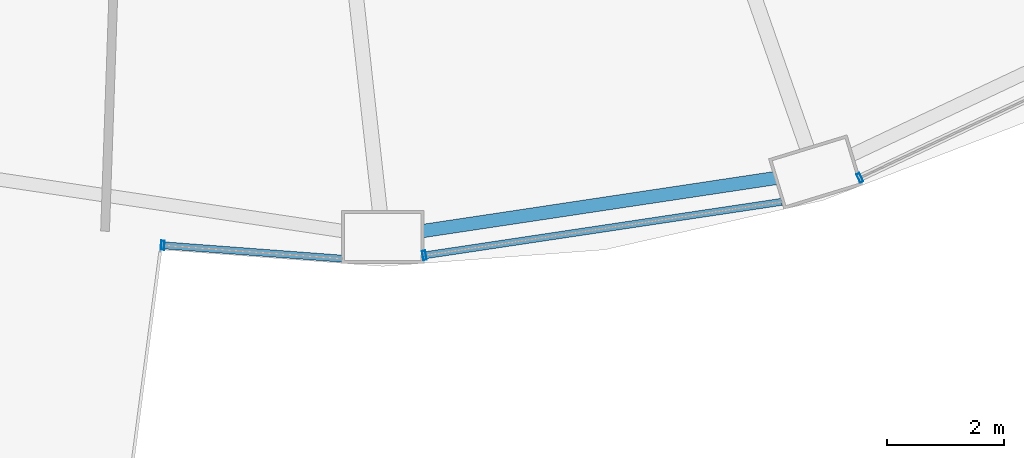
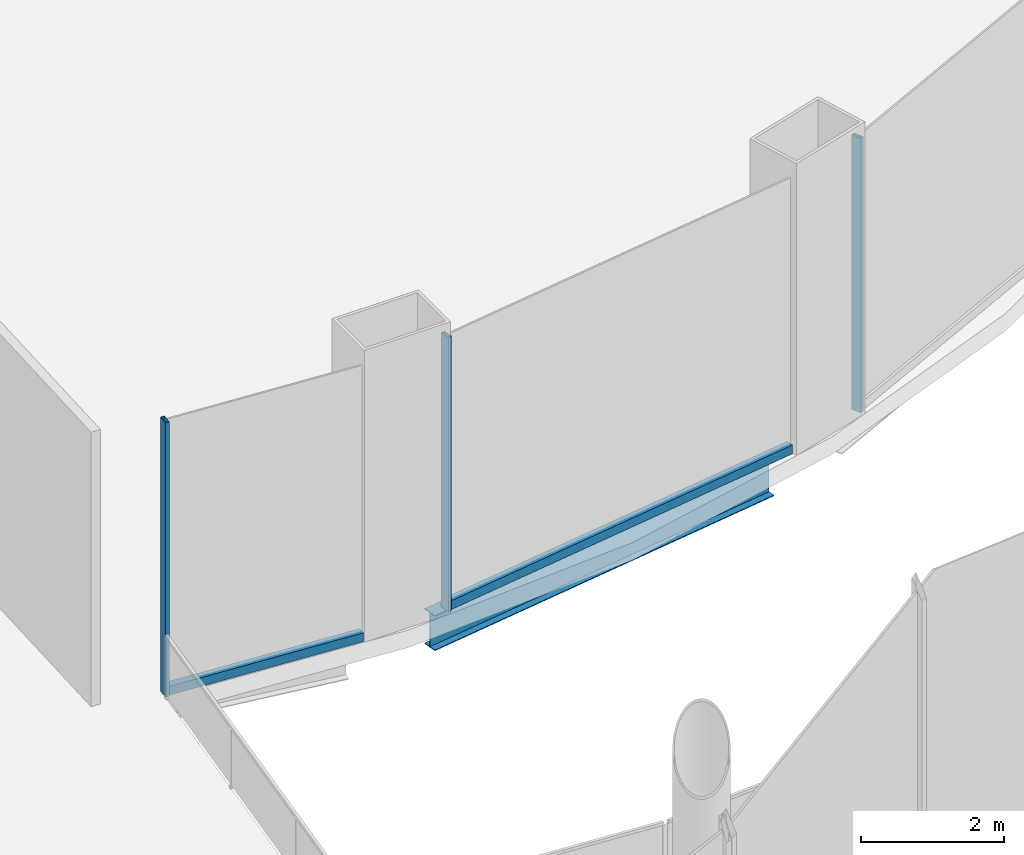
# One storey, part 9 of 47: 5 members, 1 beam, 3 elements without a shape of their own.
"""IFC4 building model written with IfcOpenShell, lengths in metres."""

from ifc_helpers import new_model, si_unit, direction, frame, origin, origin_2d, place, context, subcontext, project, spatial, hollow_rectangle, i_section, extrude, material, layer, layer_set, material_profile, profile_set, type_object, element, aggregate, save


model = new_model("IFC4")

# Units and contexts
model_context = context("Model", 3, precision=1e-05, world=origin(), true_north=direction((0.0, 1.0)))
body_context = subcontext(model_context, "Body", "Model", "MODEL_VIEW")
ifc_project = project(units=[si_unit("LENGTHUNIT", "METRE"), si_unit("AREAUNIT", "SQUARE_METRE"), si_unit("VOLUMEUNIT", "CUBIC_METRE"), si_unit("PLANEANGLEUNIT", "RADIAN"), si_unit("MASSUNIT", "GRAM", prefix="KILO")], contexts=[model_context])

# Site, building, storey
site_placement = place(None, origin())
site = spatial("IfcSite", under=ifc_project, at=site_placement, CompositionType="ELEMENT")
building_placement = place(site_placement, origin())
building = spatial("IfcBuilding", under=site, at=building_placement, Name="Nagisa Residences", CompositionType="ELEMENT")
storey_placement = place(building_placement, frame((0.0, 0.0, 17.0)))
storey = spatial("IfcBuildingStorey", under=building, at=storey_placement, Name="L03", CompositionType="ELEMENT", Elevation=17.0)

# Curtain wall, member
ifc_material_1 = material(Name="Stainless steel curtain wall system", Category="steel")
ifc_layer = layer(ifc_material_1, 0.159912109375)
ifc_layer_set = layer_set([ifc_layer], Name="CW6 CURTAIN WALL")
curtain_wall_type = type_object("IfcCurtainWallType", Name="CW6 CURTAIN WALL", PredefinedType="NOTDEFINED", material=ifc_layer_set)
curtain_wall_1_placement = place(storey_placement, origin())
curtain_wall_1 = element("IfcCurtainWall", 1, at=curtain_wall_1_placement, inside=storey, type_object=curtain_wall_type, Name="cw:CW6:L03:35", PredefinedType="NOTDEFINED")
ifc_material_2 = material(Name="Stainless steel", Category="steel")
ifc_material_profile_1 = material_profile(ifc_material_2, hollow_rectangle(XDim=0.159912109375, YDim=0.06005859375, WallThickness=0.006103515625, at=origin_2d()), Name="CW6 MULLION 160x60")
ifc_profile_set_1 = profile_set([ifc_material_profile_1], Name="Stainless steel")
member_type_1 = type_object("IfcMemberType", Name="CW6 MULLION 160x60", PredefinedType="MULLION", material=ifc_profile_set_1)
member_1_placement = place(storey_placement, frame((-0.1494140625, -32.64013671875, 0.0), z_axis=(0.0, 0.0, 1.0), x_axis=(0.074377355493, 0.997230168512, 0.0)))
member_1 = element("IfcMember", 2, at=member_1_placement, type_object=member_type_1, Name="CW6 mullion", PredefinedType="MULLION", context=body_context, shape_type="SweptSolid", body=[
    extrude(hollow_rectangle(XDim=0.159912109375, YDim=0.06005859375, WallThickness=0.006103515625, at=origin_2d()), origin(), (0.0, 0.0, 1.0), 4.699951171875),
])

curtain_wall_2_placement = place(storey_placement, origin())
curtain_wall_2 = element("IfcCurtainWall", 3, at=curtain_wall_2_placement, inside=storey, type_object=curtain_wall_type, Name="cw:CW6:L03:36", PredefinedType="NOTDEFINED")
member_2_placement = place(storey_placement, frame((4.31005859375, -32.812744140625, 0.0), z_axis=(0.0, 0.0, 1.0), x_axis=(-0.148158096894, 0.988963689083, 0.0)))
member_2 = element("IfcMember", 4, at=member_2_placement, type_object=member_type_1, Name="CW6 mullion", PredefinedType="MULLION", context=body_context, shape_type="SweptSolid", body=[
    extrude(hollow_rectangle(XDim=0.159912109375, YDim=0.06005859375, WallThickness=0.006103515625, at=origin_2d()), origin(), (0.0, 0.0, 1.0), 4.699951171875),
])

curtain_wall_3_placement = place(storey_placement, origin())
curtain_wall_3 = element("IfcCurtainWall", 5, at=curtain_wall_3_placement, inside=storey, type_object=curtain_wall_type, Name="cw:CW6:L03:38", PredefinedType="NOTDEFINED")
member_3_placement = place(storey_placement, frame((11.73193359375, -31.491943359375, 0.0), z_axis=(0.0, 0.0, 1.0), x_axis=(-0.426358467603, 0.904554286432, 0.0)))
member_3 = element("IfcMember", 6, at=member_3_placement, type_object=member_type_1, Name="CW6 mullion", PredefinedType="MULLION", context=body_context, shape_type="SweptSolid", body=[
    extrude(hollow_rectangle(XDim=0.159912109375, YDim=0.06005859375, WallThickness=0.006103515625, at=origin_2d()), origin(), (0.0, 0.0, 1.0), 4.699951171875),
])
aggregate(curtain_wall_3, [member_3])

# Member
ifc_material_3 = material(Name="Stainless steel", Category="steel")
ifc_material_profile_2 = material_profile(ifc_material_3, hollow_rectangle(XDim=0.1201171875, YDim=0.14990234375, WallThickness=0.008056640625, at=origin_2d()), Name="CW6 TRANSOM 120x150")
ifc_profile_set_2 = profile_set([ifc_material_profile_2], Name="Stainless steel")
member_type_2 = type_object("IfcMemberType", Name="CW6 TRANSOM 120x150", PredefinedType="USERDEFINED", material=ifc_profile_set_2)
member_4_placement = place(storey_placement, frame((-0.17919921875, -32.637939453125, 0.074951171875), z_axis=(0.997230834878, -0.074368420505, 0.0), x_axis=(0.074368420505, 0.997230834878, 0.0)))
member_4 = element("IfcMember", 7, at=member_4_placement, type_object=member_type_2, Name="CW6 transom", ObjectType="TRANSOM", PredefinedType="USERDEFINED", context=body_context, shape_type="SweptSolid", body=[
    extrude(hollow_rectangle(XDim=0.1201171875, YDim=0.14990234375, WallThickness=0.008056640625, at=origin_2d()), origin(), (0.0, 0.0, 1.0), 3.095703125),
])

aggregate(curtain_wall_1, [member_1, member_4])

member_5_placement = place(storey_placement, frame((4.280517578125, -32.817138671875, 0.074951171875), z_axis=(0.988964110959, 0.148155280822, 0.0), x_axis=(-0.148155280822, 0.988964110959, 0.0)))
member_5 = element("IfcMember", 8, at=member_5_placement, type_object=member_type_2, Name="CW6 transom", ObjectType="TRANSOM", PredefinedType="USERDEFINED", context=body_context, shape_type="SweptSolid", body=[
    extrude(hollow_rectangle(XDim=0.1201171875, YDim=0.14990234375, WallThickness=0.008056640625, at=origin_2d()), origin(), (0.0, 0.0, 1.0), 6.189453125),
])

aggregate(curtain_wall_2, [member_2, member_5])

# Beam
ifc_material_4 = material(Name="Steel ASTM A572 Gr 50", Category="steel")
ifc_material_profile_3 = material_profile(ifc_material_4, i_section(OverallWidth=0.22802734375, OverallDepth=0.60302734375, WebThickness=0.010498046875, FlangeThickness=0.014892578125, at=origin_2d()), Name="W610x101")
ifc_profile_set_3 = profile_set([ifc_material_profile_3], Name="Steel ASTM A572 Gr 50")
beam_type = type_object("IfcBeamType", Name="Perimeter ring beam W610x101", PredefinedType="BEAM", material=ifc_profile_set_3)
beam_placement = place(storey_placement, frame((4.2802734375, -32.39794921875, -0.6015625), z_axis=(0.988914559467, 0.14848566959, 0.0), x_axis=(-0.14848566959, 0.988914559467, 0.0)))
element("IfcBeam", 9, at=beam_placement, inside=storey, type_object=beam_type, Name="beam:L03:pb19", PredefinedType="BEAM", context=body_context, shape_type="SweptSolid", body=[
    extrude(i_section(OverallWidth=0.22802734375, OverallDepth=0.60302734375, WebThickness=0.010498046875, FlangeThickness=0.014892578125, at=origin_2d()), origin(), (0.0, 0.0, 1.0), 6.08349609375),
])

save(model, "model.ifc")
